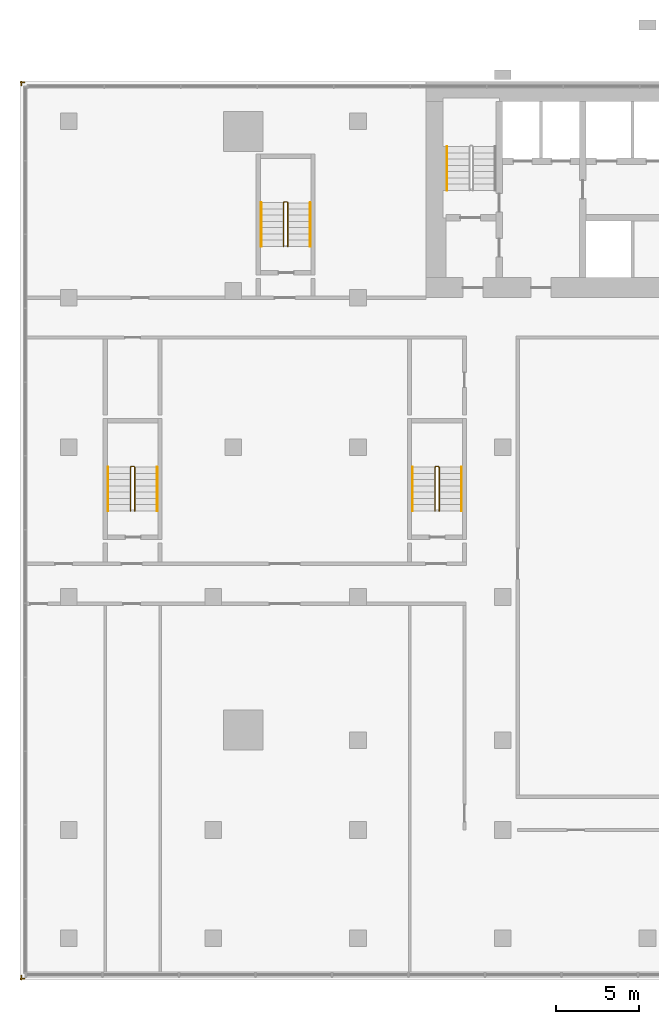
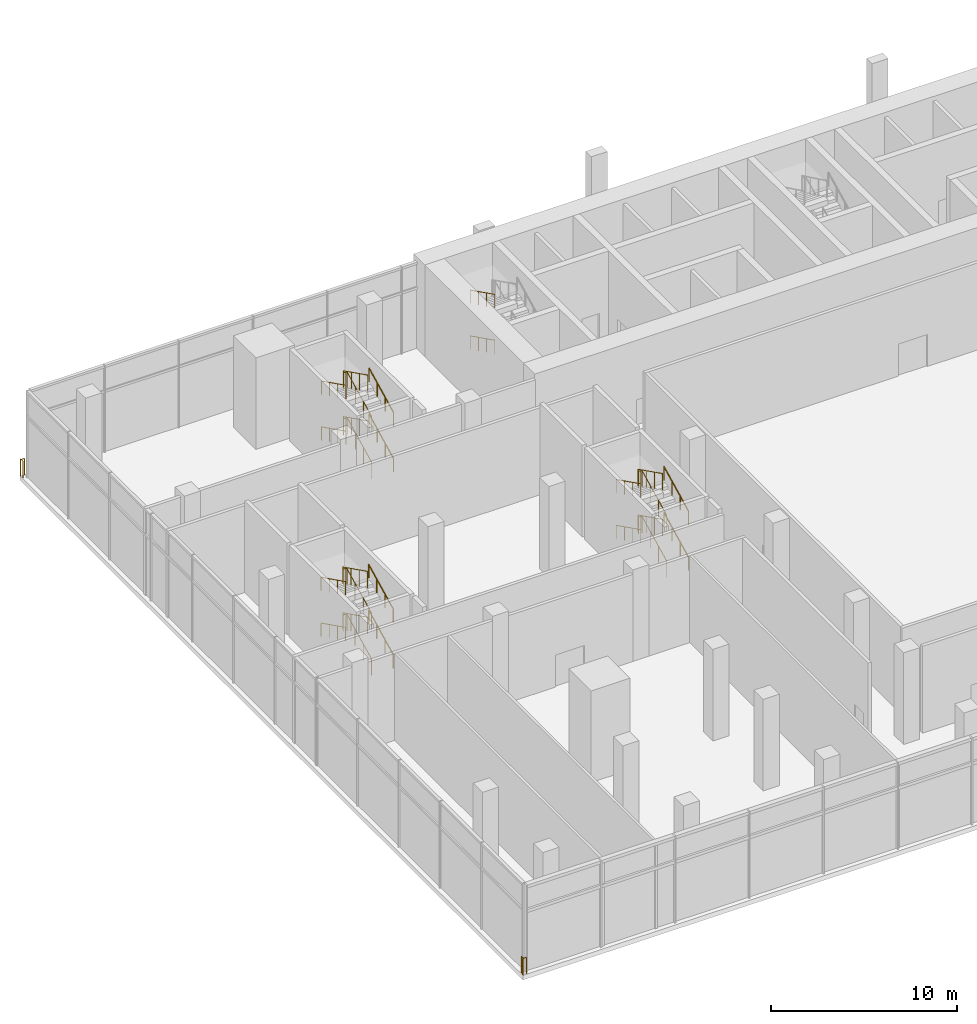
# One storey, part 18 of 21: 22 railings.
"""IFC4 building model written with IfcOpenShell, lengths in metres."""

from ifc_helpers import new_model, si_unit, direction, frame, origin, origin_2d, place, context, subcontext, project, spatial, circle, extrude, material, type_object, element, save


model = new_model("IFC4")

# Units and contexts
model_context = context("Model", 3, precision=1e-05, world=origin(), true_north=direction((0.0, 1.0)))
body_context = subcontext(model_context, "Body", "Model", "MODEL_VIEW")
ifc_project = project(units=[si_unit("LENGTHUNIT", "METRE"), si_unit("AREAUNIT", "SQUARE_METRE"), si_unit("VOLUMEUNIT", "CUBIC_METRE"), si_unit("PLANEANGLEUNIT", "RADIAN"), si_unit("MASSUNIT", "GRAM", prefix="KILO")], contexts=[model_context])

# Site, building, storey
site_placement = place(None, origin())
site = spatial("IfcSite", under=ifc_project, at=site_placement, CompositionType="ELEMENT")
building_placement = place(site_placement, origin())
building = spatial("IfcBuilding", under=site, at=building_placement, Name="Bicima Exchange Tower", CompositionType="ELEMENT")
storey_placement = place(building_placement, frame((0.0, 0.0, 8.0)))
storey = spatial("IfcBuildingStorey", under=building, at=storey_placement, Name="L01", CompositionType="ELEMENT", Elevation=8.0)

# Railings
ifc_material_1 = material(Name="Stainless steel and bonded safety glass", Category="steel")
railing_type_1 = type_object("IfcRailingType", Name="Edge guard 1100", PredefinedType="GUARDRAIL", material=ifc_material_1)
railing_1_placement = place(storey_placement, frame((-46.35009765625, -0.25, 0.0)))
element("IfcRailing", 1, at=railing_1_placement, inside=storey, type_object=railing_type_1, Name="Edge guard L01 1", PredefinedType="GUARDRAIL", context=body_context, shape_type="SweptSolid", body=[
    extrude(circle(Radius=0.02392578125, at=origin_2d()), frame((0.0, 0.0, 1.076171875), z_axis=(0.0, 1.0, 0.0), x_axis=(-1.0, 0.0, 0.0)), (0.0, 0.0, 1.0), 0.25),
    extrude(circle(Radius=0.02392578125, at=origin_2d()), frame((0.0, 0.25, 1.076171875), z_axis=(-0.705375805398, -0.708833529934, 0.0), x_axis=(0.708833529934, -0.705375805398, 0.0)), (0.0, 0.0, 1.0), 0.070556640625),
    extrude(circle(Radius=0.02392578125, at=origin_2d()), frame((-0.0498046875, 0.199951171875, 1.076171875), z_axis=(1.0, 0.0, 0.0), x_axis=(0.0, 1.0, 0.0)), (0.0, 0.0, 1.0), 0.2490234375),
    extrude(circle(Radius=0.02099609375, at=origin_2d()), origin(), (0.0, 0.0, 1.0), 1.052001953125),
    extrude(circle(Radius=0.02099609375, at=origin_2d()), frame((0.0, 0.25, 0.0)), (0.0, 0.0, 1.0), 1.052001953125),
    extrude(circle(Radius=0.02099609375, at=origin_2d()), frame((-0.0498046875, 0.199951171875, 0.0)), (0.0, 0.0, 1.0), 1.052001953125),
    extrude(circle(Radius=0.02099609375, at=origin_2d()), frame((0.19921875, 0.199951171875, 0.0)), (0.0, 0.0, 1.0), 1.052001953125),
])
railing_2_placement = place(storey_placement, frame((-46.15087890625, -53.949951171875, 0.0)))
element("IfcRailing", 2, at=railing_2_placement, inside=storey, type_object=railing_type_1, Name="Edge guard L01 4", PredefinedType="GUARDRAIL", context=body_context, shape_type="SweptSolid", body=[
    extrude(circle(Radius=0.02392578125, at=origin_2d()), frame((0.0, 0.0, 1.076171875), z_axis=(-1.0, 0.0, 0.0), x_axis=(0.0, -1.0, 0.0)), (0.0, 0.0, 1.0), 0.2490234375),
    extrude(circle(Radius=0.02392578125, at=origin_2d()), frame((-0.2490234375, 0.0, 1.076171875), z_axis=(0.705375805398, -0.708833529934, 0.0), x_axis=(0.708833529934, 0.705375805398, 0.0)), (0.0, 0.0, 1.0), 0.070556640625),
    extrude(circle(Radius=0.02392578125, at=origin_2d()), frame((-0.19921875, -0.050048828125, 1.076171875), z_axis=(0.0, 1.0, 0.0), x_axis=(-1.0, 0.0, 0.0)), (0.0, 0.0, 1.0), 0.25),
    extrude(circle(Radius=0.02099609375, at=origin_2d()), origin(), (0.0, 0.0, 1.0), 1.052001953125),
    extrude(circle(Radius=0.02099609375, at=origin_2d()), frame((-0.2490234375, 0.0, 0.0)), (0.0, 0.0, 1.0), 1.052001953125),
    extrude(circle(Radius=0.02099609375, at=origin_2d()), frame((-0.19921875, -0.050048828125, 0.0)), (0.0, 0.0, 1.0), 1.052001953125),
    extrude(circle(Radius=0.02099609375, at=origin_2d()), frame((-0.19921875, 0.199951171875, 0.0)), (0.0, 0.0, 1.0), 1.052001953125),
])
ifc_material_2 = material(Name="Stainless steel", Category="steel")
railing_type_2 = type_object("IfcRailingType", Name="Stair guard 1100", PredefinedType="GUARDRAIL", material=ifc_material_2)
railing_3_placement = place(storey_placement, frame((-30.324951171875, -9.925048828125, 0.1875)))
element("IfcRailing", 3, at=railing_3_placement, inside=storey, type_object=railing_type_2, Name="L01 ST-WW stair guard 1", PredefinedType="GUARDRAIL", context=body_context, shape_type="SweptSolid", body=[
    extrude(circle(Radius=0.02392578125, at=origin_2d()), frame((0.0, 0.0, 1.076171875), z_axis=(0.0, 0.894775759346, 0.446515778543), x_axis=(-1.0, 0.0, 0.0)), (0.0, 0.0, 1.0), 2.939453125),
    extrude(circle(Radius=0.02392578125, at=origin_2d()), frame((0.0, 2.630126953125, 2.388671875), z_axis=(-0.708833529934, 0.705375805398, 0.0), x_axis=(-0.705375805398, -0.708833529934, 0.0)), (0.0, 0.0, 1.0), 0.070556640625),
    extrude(circle(Radius=0.02392578125, at=origin_2d()), frame((-0.050048828125, 2.679931640625, 2.388671875), z_axis=(-1.0, 0.0, 0.0), x_axis=(0.0, -1.0, 0.0)), (0.0, 0.0, 1.0), 0.14990234375),
    extrude(circle(Radius=0.02392578125, at=origin_2d()), frame((-0.199951171875, 2.679931640625, 2.388671875), z_axis=(-0.249802250048, -0.248583702486, 0.935844527007), x_axis=(0.705375805398, -0.708833529934, 0.0)), (0.0, 0.0, 1.0), 0.200439453125),
    extrude(circle(Radius=0.02392578125, at=origin_2d()), frame((-0.25, 2.630126953125, 2.576171875), z_axis=(0.0, -0.894775759346, 0.446515778543), x_axis=(1.0, 0.0, 0.0)), (0.0, 0.0, 1.0), 2.939453125),
    extrude(circle(Radius=0.02099609375, at=origin_2d()), origin(), (0.0, 0.0, 1.0), 1.052001953125),
    extrude(circle(Radius=0.02099609375, at=origin_2d()), frame((0.0, 0.876708984375, 0.4375)), (0.0, 0.0, 1.0), 1.052001953125),
    extrude(circle(Radius=0.02099609375, at=origin_2d()), frame((0.0, 1.75341796875, 0.875)), (0.0, 0.0, 1.0), 1.052001953125),
    extrude(circle(Radius=0.02099609375, at=origin_2d()), frame((0.0, 2.630126953125, 1.3125)), (0.0, 0.0, 1.0), 1.052001953125),
    extrude(circle(Radius=0.02099609375, at=origin_2d()), frame((-0.050048828125, 2.679931640625, 1.3125)), (0.0, 0.0, 1.0), 1.052001953125),
    extrude(circle(Radius=0.02099609375, at=origin_2d()), frame((-0.199951171875, 2.679931640625, 1.3125)), (0.0, 0.0, 1.0), 1.052001953125),
    extrude(circle(Radius=0.02099609375, at=origin_2d()), frame((-0.25, 2.630126953125, 1.5)), (0.0, 0.0, 1.0), 1.052001953125),
    extrude(circle(Radius=0.02099609375, at=origin_2d()), frame((-0.25, 1.75341796875, 1.9375)), (0.0, 0.0, 1.0), 1.052001953125),
    extrude(circle(Radius=0.02099609375, at=origin_2d()), frame((-0.25, 0.876708984375, 2.375)), (0.0, 0.0, 1.0), 1.052001953125),
    extrude(circle(Radius=0.02099609375, at=origin_2d()), frame((-0.25, 0.0, 2.8125)), (0.0, 0.0, 1.0), 1.052001953125),
])
railing_4_placement = place(storey_placement, frame((-30.324951171875, -9.925048828125, 3.1875)))
element("IfcRailing", 4, at=railing_4_placement, inside=storey, type_object=railing_type_2, Name="L01 ST-WW stair guard 2", PredefinedType="GUARDRAIL", context=body_context, shape_type="SweptSolid", body=[
    extrude(circle(Radius=0.02392578125, at=origin_2d()), frame((0.0, 0.0, 1.076171875), z_axis=(0.0, 0.894775759346, 0.446515778543), x_axis=(-1.0, 0.0, 0.0)), (0.0, 0.0, 1.0), 2.939453125),
    extrude(circle(Radius=0.02392578125, at=origin_2d()), frame((0.0, 2.630126953125, 2.388671875), z_axis=(-0.708833529934, 0.705375805398, 0.0), x_axis=(-0.705375805398, -0.708833529934, 0.0)), (0.0, 0.0, 1.0), 0.070556640625),
    extrude(circle(Radius=0.02392578125, at=origin_2d()), frame((-0.050048828125, 2.679931640625, 2.388671875), z_axis=(-1.0, 0.0, 0.0), x_axis=(0.0, -1.0, 0.0)), (0.0, 0.0, 1.0), 0.14990234375),
    extrude(circle(Radius=0.02392578125, at=origin_2d()), frame((-0.199951171875, 2.679931640625, 2.388671875), z_axis=(-0.249802250048, -0.248583702486, 0.935844527007), x_axis=(0.705375805398, -0.708833529934, 0.0)), (0.0, 0.0, 1.0), 0.200439453125),
    extrude(circle(Radius=0.02392578125, at=origin_2d()), frame((-0.25, 2.630126953125, 2.576171875), z_axis=(0.0, -0.894775759346, 0.446515778543), x_axis=(1.0, 0.0, 0.0)), (0.0, 0.0, 1.0), 2.939453125),
    extrude(circle(Radius=0.02099609375, at=origin_2d()), origin(), (0.0, 0.0, 1.0), 1.052001953125),
    extrude(circle(Radius=0.02099609375, at=origin_2d()), frame((0.0, 0.876708984375, 0.4375)), (0.0, 0.0, 1.0), 1.052001953125),
    extrude(circle(Radius=0.02099609375, at=origin_2d()), frame((0.0, 1.75341796875, 0.875)), (0.0, 0.0, 1.0), 1.052001953125),
    extrude(circle(Radius=0.02099609375, at=origin_2d()), frame((0.0, 2.630126953125, 1.3125)), (0.0, 0.0, 1.0), 1.052001953125),
    extrude(circle(Radius=0.02099609375, at=origin_2d()), frame((-0.050048828125, 2.679931640625, 1.3125)), (0.0, 0.0, 1.0), 1.052001953125),
    extrude(circle(Radius=0.02099609375, at=origin_2d()), frame((-0.199951171875, 2.679931640625, 1.3125)), (0.0, 0.0, 1.0), 1.052001953125),
    extrude(circle(Radius=0.02099609375, at=origin_2d()), frame((-0.25, 2.630126953125, 1.5)), (0.0, 0.0, 1.0), 1.052001953125),
    extrude(circle(Radius=0.02099609375, at=origin_2d()), frame((-0.25, 1.75341796875, 1.9375)), (0.0, 0.0, 1.0), 1.052001953125),
    extrude(circle(Radius=0.02099609375, at=origin_2d()), frame((-0.25, 0.876708984375, 2.375)), (0.0, 0.0, 1.0), 1.052001953125),
    extrude(circle(Radius=0.02099609375, at=origin_2d()), frame((-0.25, 0.0, 2.8125)), (0.0, 0.0, 1.0), 1.052001953125),
])
railing_5_placement = place(storey_placement, frame((-39.52490234375, -25.824951171875, 0.1875)))
element("IfcRailing", 5, at=railing_5_placement, inside=storey, type_object=railing_type_2, Name="L01 PS-W stair guard 1", PredefinedType="GUARDRAIL", context=body_context, shape_type="SweptSolid", body=[
    extrude(circle(Radius=0.02392578125, at=origin_2d()), frame((0.0, 0.0, 1.076171875), z_axis=(0.0, 0.894759197849, 0.446548964689), x_axis=(-1.0, 0.0, 0.0)), (0.0, 0.0, 1.0), 2.939208984375),
    extrude(circle(Radius=0.02392578125, at=origin_2d()), frame((0.0, 2.6298828125, 2.388671875), z_axis=(-0.707106781187, 0.707106781187, 0.0), x_axis=(-0.707106781187, -0.707106781187, 0.0)), (0.0, 0.0, 1.0), 0.07080078125),
    extrude(circle(Radius=0.02392578125, at=origin_2d()), frame((-0.050048828125, 2.679931640625, 2.388671875), z_axis=(-1.0, 0.0, 0.0), x_axis=(0.0, -1.0, 0.0)), (0.0, 0.0, 1.0), 0.150146484375),
    extrude(circle(Radius=0.02392578125, at=origin_2d()), frame((-0.2001953125, 2.679931640625, 2.388671875), z_axis=(-0.248583702486, -0.249802250048, 0.935844527007), x_axis=(0.708833529934, -0.705375805398, 0.0)), (0.0, 0.0, 1.0), 0.200439453125),
    extrude(circle(Radius=0.02392578125, at=origin_2d()), frame((-0.25, 2.6298828125, 2.576171875), z_axis=(0.0, -0.894759197849, 0.446548964689), x_axis=(1.0, 0.0, 0.0)), (0.0, 0.0, 1.0), 2.939208984375),
    extrude(circle(Radius=0.02099609375, at=origin_2d()), origin(), (0.0, 0.0, 1.0), 1.052001953125),
    extrude(circle(Radius=0.02099609375, at=origin_2d()), frame((0.0, 0.876708984375, 0.4375)), (0.0, 0.0, 1.0), 1.052001953125),
    extrude(circle(Radius=0.02099609375, at=origin_2d()), frame((0.0, 1.753173828125, 0.875)), (0.0, 0.0, 1.0), 1.052001953125),
    extrude(circle(Radius=0.02099609375, at=origin_2d()), frame((0.0, 2.6298828125, 1.3125)), (0.0, 0.0, 1.0), 1.052001953125),
    extrude(circle(Radius=0.02099609375, at=origin_2d()), frame((-0.050048828125, 2.679931640625, 1.3125)), (0.0, 0.0, 1.0), 1.052001953125),
    extrude(circle(Radius=0.02099609375, at=origin_2d()), frame((-0.2001953125, 2.679931640625, 1.3125)), (0.0, 0.0, 1.0), 1.052001953125),
    extrude(circle(Radius=0.02099609375, at=origin_2d()), frame((-0.25, 2.6298828125, 1.5)), (0.0, 0.0, 1.0), 1.052001953125),
    extrude(circle(Radius=0.02099609375, at=origin_2d()), frame((-0.25, 1.753173828125, 1.9375)), (0.0, 0.0, 1.0), 1.052001953125),
    extrude(circle(Radius=0.02099609375, at=origin_2d()), frame((-0.25, 0.876708984375, 2.375)), (0.0, 0.0, 1.0), 1.052001953125),
    extrude(circle(Radius=0.02099609375, at=origin_2d()), frame((-0.25, 0.0, 2.8125)), (0.0, 0.0, 1.0), 1.052001953125),
])
railing_6_placement = place(storey_placement, frame((-39.52490234375, -25.824951171875, 3.1875)))
element("IfcRailing", 6, at=railing_6_placement, inside=storey, type_object=railing_type_2, Name="L01 PS-W stair guard 2", PredefinedType="GUARDRAIL", context=body_context, shape_type="SweptSolid", body=[
    extrude(circle(Radius=0.02392578125, at=origin_2d()), frame((0.0, 0.0, 1.076171875), z_axis=(0.0, 0.894759197849, 0.446548964689), x_axis=(-1.0, 0.0, 0.0)), (0.0, 0.0, 1.0), 2.939208984375),
    extrude(circle(Radius=0.02392578125, at=origin_2d()), frame((0.0, 2.6298828125, 2.388671875), z_axis=(-0.707106781187, 0.707106781187, 0.0), x_axis=(-0.707106781187, -0.707106781187, 0.0)), (0.0, 0.0, 1.0), 0.07080078125),
    extrude(circle(Radius=0.02392578125, at=origin_2d()), frame((-0.050048828125, 2.679931640625, 2.388671875), z_axis=(-1.0, 0.0, 0.0), x_axis=(0.0, -1.0, 0.0)), (0.0, 0.0, 1.0), 0.150146484375),
    extrude(circle(Radius=0.02392578125, at=origin_2d()), frame((-0.2001953125, 2.679931640625, 2.388671875), z_axis=(-0.248583702486, -0.249802250048, 0.935844527007), x_axis=(0.708833529934, -0.705375805398, 0.0)), (0.0, 0.0, 1.0), 0.200439453125),
    extrude(circle(Radius=0.02392578125, at=origin_2d()), frame((-0.25, 2.6298828125, 2.576171875), z_axis=(0.0, -0.894759197849, 0.446548964689), x_axis=(1.0, 0.0, 0.0)), (0.0, 0.0, 1.0), 2.939208984375),
    extrude(circle(Radius=0.02099609375, at=origin_2d()), origin(), (0.0, 0.0, 1.0), 1.052001953125),
    extrude(circle(Radius=0.02099609375, at=origin_2d()), frame((0.0, 0.876708984375, 0.4375)), (0.0, 0.0, 1.0), 1.052001953125),
    extrude(circle(Radius=0.02099609375, at=origin_2d()), frame((0.0, 1.753173828125, 0.875)), (0.0, 0.0, 1.0), 1.052001953125),
    extrude(circle(Radius=0.02099609375, at=origin_2d()), frame((0.0, 2.6298828125, 1.3125)), (0.0, 0.0, 1.0), 1.052001953125),
    extrude(circle(Radius=0.02099609375, at=origin_2d()), frame((-0.050048828125, 2.679931640625, 1.3125)), (0.0, 0.0, 1.0), 1.052001953125),
    extrude(circle(Radius=0.02099609375, at=origin_2d()), frame((-0.2001953125, 2.679931640625, 1.3125)), (0.0, 0.0, 1.0), 1.052001953125),
    extrude(circle(Radius=0.02099609375, at=origin_2d()), frame((-0.25, 2.6298828125, 1.5)), (0.0, 0.0, 1.0), 1.052001953125),
    extrude(circle(Radius=0.02099609375, at=origin_2d()), frame((-0.25, 1.753173828125, 1.9375)), (0.0, 0.0, 1.0), 1.052001953125),
    extrude(circle(Radius=0.02099609375, at=origin_2d()), frame((-0.25, 0.876708984375, 2.375)), (0.0, 0.0, 1.0), 1.052001953125),
    extrude(circle(Radius=0.02099609375, at=origin_2d()), frame((-0.25, 0.0, 2.8125)), (0.0, 0.0, 1.0), 1.052001953125),
])
railing_7_placement = place(storey_placement, frame((-21.22509765625, -25.824951171875, 0.1875)))
element("IfcRailing", 7, at=railing_7_placement, inside=storey, type_object=railing_type_2, Name="L01 PS-WI stair guard 1", PredefinedType="GUARDRAIL", context=body_context, shape_type="SweptSolid", body=[
    extrude(circle(Radius=0.02392578125, at=origin_2d()), frame((0.0, 0.0, 1.076171875), z_axis=(0.0, 0.894759197849, 0.446548964689), x_axis=(-1.0, 0.0, 0.0)), (0.0, 0.0, 1.0), 2.939208984375),
    extrude(circle(Radius=0.02392578125, at=origin_2d()), frame((0.0, 2.6298828125, 2.388671875), z_axis=(-0.705375805398, 0.708833529934, 0.0), x_axis=(-0.708833529934, -0.705375805398, 0.0)), (0.0, 0.0, 1.0), 0.070556640625),
    extrude(circle(Radius=0.02392578125, at=origin_2d()), frame((-0.0498046875, 2.679931640625, 2.388671875), z_axis=(-1.0, 0.0, 0.0), x_axis=(0.0, -1.0, 0.0)), (0.0, 0.0, 1.0), 0.150146484375),
    extrude(circle(Radius=0.02392578125, at=origin_2d()), frame((-0.199951171875, 2.679931640625, 2.388671875), z_axis=(-0.249726431254, -0.249726431254, 0.935560483917), x_axis=(0.707106781187, -0.707106781187, 0.0)), (0.0, 0.0, 1.0), 0.200439453125),
    extrude(circle(Radius=0.02392578125, at=origin_2d()), frame((-0.25, 2.6298828125, 2.576171875), z_axis=(0.0, -0.894759197849, 0.446548964689), x_axis=(1.0, 0.0, 0.0)), (0.0, 0.0, 1.0), 2.939208984375),
    extrude(circle(Radius=0.02099609375, at=origin_2d()), origin(), (0.0, 0.0, 1.0), 1.052001953125),
    extrude(circle(Radius=0.02099609375, at=origin_2d()), frame((0.0, 0.876708984375, 0.4375)), (0.0, 0.0, 1.0), 1.052001953125),
    extrude(circle(Radius=0.02099609375, at=origin_2d()), frame((0.0, 1.753173828125, 0.875)), (0.0, 0.0, 1.0), 1.052001953125),
    extrude(circle(Radius=0.02099609375, at=origin_2d()), frame((0.0, 2.6298828125, 1.3125)), (0.0, 0.0, 1.0), 1.052001953125),
    extrude(circle(Radius=0.02099609375, at=origin_2d()), frame((-0.0498046875, 2.679931640625, 1.3125)), (0.0, 0.0, 1.0), 1.052001953125),
    extrude(circle(Radius=0.02099609375, at=origin_2d()), frame((-0.199951171875, 2.679931640625, 1.3125)), (0.0, 0.0, 1.0), 1.052001953125),
    extrude(circle(Radius=0.02099609375, at=origin_2d()), frame((-0.25, 2.6298828125, 1.5)), (0.0, 0.0, 1.0), 1.052001953125),
    extrude(circle(Radius=0.02099609375, at=origin_2d()), frame((-0.25, 1.753173828125, 1.9375)), (0.0, 0.0, 1.0), 1.052001953125),
    extrude(circle(Radius=0.02099609375, at=origin_2d()), frame((-0.25, 0.876708984375, 2.375)), (0.0, 0.0, 1.0), 1.052001953125),
    extrude(circle(Radius=0.02099609375, at=origin_2d()), frame((-0.25, 0.0, 2.8125)), (0.0, 0.0, 1.0), 1.052001953125),
])
railing_8_placement = place(storey_placement, frame((-21.22509765625, -25.824951171875, 3.1875)))
element("IfcRailing", 8, at=railing_8_placement, inside=storey, type_object=railing_type_2, Name="L01 PS-WI stair guard 2", PredefinedType="GUARDRAIL", context=body_context, shape_type="SweptSolid", body=[
    extrude(circle(Radius=0.02392578125, at=origin_2d()), frame((0.0, 0.0, 1.076171875), z_axis=(0.0, 0.894759197849, 0.446548964689), x_axis=(-1.0, 0.0, 0.0)), (0.0, 0.0, 1.0), 2.939208984375),
    extrude(circle(Radius=0.02392578125, at=origin_2d()), frame((0.0, 2.6298828125, 2.388671875), z_axis=(-0.705375805398, 0.708833529934, 0.0), x_axis=(-0.708833529934, -0.705375805398, 0.0)), (0.0, 0.0, 1.0), 0.070556640625),
    extrude(circle(Radius=0.02392578125, at=origin_2d()), frame((-0.0498046875, 2.679931640625, 2.388671875), z_axis=(-1.0, 0.0, 0.0), x_axis=(0.0, -1.0, 0.0)), (0.0, 0.0, 1.0), 0.150146484375),
    extrude(circle(Radius=0.02392578125, at=origin_2d()), frame((-0.199951171875, 2.679931640625, 2.388671875), z_axis=(-0.249726431254, -0.249726431254, 0.935560483917), x_axis=(0.707106781187, -0.707106781187, 0.0)), (0.0, 0.0, 1.0), 0.200439453125),
    extrude(circle(Radius=0.02392578125, at=origin_2d()), frame((-0.25, 2.6298828125, 2.576171875), z_axis=(0.0, -0.894759197849, 0.446548964689), x_axis=(1.0, 0.0, 0.0)), (0.0, 0.0, 1.0), 2.939208984375),
    extrude(circle(Radius=0.02099609375, at=origin_2d()), origin(), (0.0, 0.0, 1.0), 1.052001953125),
    extrude(circle(Radius=0.02099609375, at=origin_2d()), frame((0.0, 0.876708984375, 0.4375)), (0.0, 0.0, 1.0), 1.052001953125),
    extrude(circle(Radius=0.02099609375, at=origin_2d()), frame((0.0, 1.753173828125, 0.875)), (0.0, 0.0, 1.0), 1.052001953125),
    extrude(circle(Radius=0.02099609375, at=origin_2d()), frame((0.0, 2.6298828125, 1.3125)), (0.0, 0.0, 1.0), 1.052001953125),
    extrude(circle(Radius=0.02099609375, at=origin_2d()), frame((-0.0498046875, 2.679931640625, 1.3125)), (0.0, 0.0, 1.0), 1.052001953125),
    extrude(circle(Radius=0.02099609375, at=origin_2d()), frame((-0.199951171875, 2.679931640625, 1.3125)), (0.0, 0.0, 1.0), 1.052001953125),
    extrude(circle(Radius=0.02099609375, at=origin_2d()), frame((-0.25, 2.6298828125, 1.5)), (0.0, 0.0, 1.0), 1.052001953125),
    extrude(circle(Radius=0.02099609375, at=origin_2d()), frame((-0.25, 1.753173828125, 1.9375)), (0.0, 0.0, 1.0), 1.052001953125),
    extrude(circle(Radius=0.02099609375, at=origin_2d()), frame((-0.25, 0.876708984375, 2.375)), (0.0, 0.0, 1.0), 1.052001953125),
    extrude(circle(Radius=0.02099609375, at=origin_2d()), frame((-0.25, 0.0, 2.8125)), (0.0, 0.0, 1.0), 1.052001953125),
])
railing_type_3 = type_object("IfcRailingType", Name="Stair handrail 900", PredefinedType="HANDRAIL", material=ifc_material_2)
for number, where, name in (
    (9, (-20.75, -3.919921875, 1.6875), "L01 ST-W stair handrail 2"),
    (10, (-20.75, -3.919921875, 4.6875), "L01 ST-W stair handrail 4"),
):
    element("IfcRailing", number, at=place(storey_placement, frame(where)), inside=storey, type_object=railing_type_3, Name=name, PredefinedType="HANDRAIL", context=body_context, shape_type="SweptSolid", body=[
        extrude(circle(Radius=0.02392578125, at=origin_2d()), frame((0.0, 0.0, 0.8759765625), z_axis=(0.0, -0.894775759346, 0.446515778543), x_axis=(1.0, 0.0, 0.0)), (0.0, 0.0, 1.0), 2.939453125),
        extrude(circle(Radius=0.02099609375, at=origin_2d()), origin(), (0.0, 0.0, 1.0), 0.851806640625),
        extrude(circle(Radius=0.02099609375, at=origin_2d()), frame((0.0, -0.876708984375, 0.4375)), (0.0, 0.0, 1.0), 0.851806640625),
        extrude(circle(Radius=0.02099609375, at=origin_2d()), frame((0.0, -1.75341796875, 0.875)), (0.0, 0.0, 1.0), 0.851806640625),
        extrude(circle(Radius=0.02099609375, at=origin_2d()), frame((0.0, -2.630126953125, 1.3125)), (0.0, 0.0, 1.0), 0.851806640625),
    ])
railing_9_placement = place(storey_placement, frame((-28.97509765625, -9.925048828125, 0.1875)))
element("IfcRailing", 11, at=railing_9_placement, inside=storey, type_object=railing_type_3, Name="L01 ST-WW stair handrail 1", PredefinedType="HANDRAIL", context=body_context, shape_type="SweptSolid", body=[
    extrude(circle(Radius=0.02392578125, at=origin_2d()), frame((0.0, 0.0, 0.8759765625), z_axis=(0.0, 0.894775759346, 0.446515778543), x_axis=(-1.0, 0.0, 0.0)), (0.0, 0.0, 1.0), 2.939453125),
    extrude(circle(Radius=0.02099609375, at=origin_2d()), origin(), (0.0, 0.0, 1.0), 0.851806640625),
    extrude(circle(Radius=0.02099609375, at=origin_2d()), frame((0.0, 0.876708984375, 0.4375)), (0.0, 0.0, 1.0), 0.851806640625),
    extrude(circle(Radius=0.02099609375, at=origin_2d()), frame((0.0, 1.75341796875, 0.875)), (0.0, 0.0, 1.0), 0.851806640625),
    extrude(circle(Radius=0.02099609375, at=origin_2d()), frame((0.0, 2.630126953125, 1.3125)), (0.0, 0.0, 1.0), 0.851806640625),
])
railing_10_placement = place(storey_placement, frame((-31.925048828125, -7.294921875, 1.6875)))
element("IfcRailing", 12, at=railing_10_placement, inside=storey, type_object=railing_type_3, Name="L01 ST-WW stair handrail 2", PredefinedType="HANDRAIL", context=body_context, shape_type="SweptSolid", body=[
    extrude(circle(Radius=0.02392578125, at=origin_2d()), frame((0.0, 0.0, 0.8759765625), z_axis=(0.0, -0.894775759346, 0.446515778543), x_axis=(1.0, 0.0, 0.0)), (0.0, 0.0, 1.0), 2.939453125),
    extrude(circle(Radius=0.02099609375, at=origin_2d()), origin(), (0.0, 0.0, 1.0), 0.851806640625),
    extrude(circle(Radius=0.02099609375, at=origin_2d()), frame((0.0, -0.876708984375, 0.4375)), (0.0, 0.0, 1.0), 0.851806640625),
    extrude(circle(Radius=0.02099609375, at=origin_2d()), frame((0.0, -1.75341796875, 0.875)), (0.0, 0.0, 1.0), 0.851806640625),
    extrude(circle(Radius=0.02099609375, at=origin_2d()), frame((0.0, -2.630126953125, 1.3125)), (0.0, 0.0, 1.0), 0.851806640625),
])
railing_11_placement = place(storey_placement, frame((-28.97509765625, -9.925048828125, 3.1875)))
element("IfcRailing", 13, at=railing_11_placement, inside=storey, type_object=railing_type_3, Name="L01 ST-WW stair handrail 3", PredefinedType="HANDRAIL", context=body_context, shape_type="SweptSolid", body=[
    extrude(circle(Radius=0.02392578125, at=origin_2d()), frame((0.0, 0.0, 0.8759765625), z_axis=(0.0, 0.894775759346, 0.446515778543), x_axis=(-1.0, 0.0, 0.0)), (0.0, 0.0, 1.0), 2.939453125),
    extrude(circle(Radius=0.02099609375, at=origin_2d()), origin(), (0.0, 0.0, 1.0), 0.851806640625),
    extrude(circle(Radius=0.02099609375, at=origin_2d()), frame((0.0, 0.876708984375, 0.4375)), (0.0, 0.0, 1.0), 0.851806640625),
    extrude(circle(Radius=0.02099609375, at=origin_2d()), frame((0.0, 1.75341796875, 0.875)), (0.0, 0.0, 1.0), 0.851806640625),
    extrude(circle(Radius=0.02099609375, at=origin_2d()), frame((0.0, 2.630126953125, 1.3125)), (0.0, 0.0, 1.0), 0.851806640625),
])
railing_12_placement = place(storey_placement, frame((-31.925048828125, -7.294921875, 4.6875)))
element("IfcRailing", 14, at=railing_12_placement, inside=storey, type_object=railing_type_3, Name="L01 ST-WW stair handrail 4", PredefinedType="HANDRAIL", context=body_context, shape_type="SweptSolid", body=[
    extrude(circle(Radius=0.02392578125, at=origin_2d()), frame((0.0, 0.0, 0.8759765625), z_axis=(0.0, -0.894775759346, 0.446515778543), x_axis=(1.0, 0.0, 0.0)), (0.0, 0.0, 1.0), 2.939453125),
    extrude(circle(Radius=0.02099609375, at=origin_2d()), origin(), (0.0, 0.0, 1.0), 0.851806640625),
    extrude(circle(Radius=0.02099609375, at=origin_2d()), frame((0.0, -0.876708984375, 0.4375)), (0.0, 0.0, 1.0), 0.851806640625),
    extrude(circle(Radius=0.02099609375, at=origin_2d()), frame((0.0, -1.75341796875, 0.875)), (0.0, 0.0, 1.0), 0.851806640625),
    extrude(circle(Radius=0.02099609375, at=origin_2d()), frame((0.0, -2.630126953125, 1.3125)), (0.0, 0.0, 1.0), 0.851806640625),
])
railing_13_placement = place(storey_placement, frame((-38.175048828125, -25.824951171875, 0.1875)))
element("IfcRailing", 15, at=railing_13_placement, inside=storey, type_object=railing_type_3, Name="L01 PS-W stair handrail 1", PredefinedType="HANDRAIL", context=body_context, shape_type="SweptSolid", body=[
    extrude(circle(Radius=0.02392578125, at=origin_2d()), frame((0.0, 0.0, 0.8759765625), z_axis=(0.0, 0.894759197849, 0.446548964689), x_axis=(-1.0, 0.0, 0.0)), (0.0, 0.0, 1.0), 2.939208984375),
    extrude(circle(Radius=0.02099609375, at=origin_2d()), origin(), (0.0, 0.0, 1.0), 0.851806640625),
    extrude(circle(Radius=0.02099609375, at=origin_2d()), frame((0.0, 0.876708984375, 0.4375)), (0.0, 0.0, 1.0), 0.851806640625),
    extrude(circle(Radius=0.02099609375, at=origin_2d()), frame((0.0, 1.753173828125, 0.875)), (0.0, 0.0, 1.0), 0.851806640625),
    extrude(circle(Radius=0.02099609375, at=origin_2d()), frame((0.0, 2.6298828125, 1.3125)), (0.0, 0.0, 1.0), 0.851806640625),
])
railing_14_placement = place(storey_placement, frame((-41.125, -23.195068359375, 1.6875)))
element("IfcRailing", 16, at=railing_14_placement, inside=storey, type_object=railing_type_3, Name="L01 PS-W stair handrail 2", PredefinedType="HANDRAIL", context=body_context, shape_type="SweptSolid", body=[
    extrude(circle(Radius=0.02392578125, at=origin_2d()), frame((0.0, 0.0, 0.8759765625), z_axis=(0.0, -0.894759197849, 0.446548964689), x_axis=(1.0, 0.0, 0.0)), (0.0, 0.0, 1.0), 2.939208984375),
    extrude(circle(Radius=0.02099609375, at=origin_2d()), origin(), (0.0, 0.0, 1.0), 0.851806640625),
    extrude(circle(Radius=0.02099609375, at=origin_2d()), frame((0.0, -0.876708984375, 0.4375)), (0.0, 0.0, 1.0), 0.851806640625),
    extrude(circle(Radius=0.02099609375, at=origin_2d()), frame((0.0, -1.753173828125, 0.875)), (0.0, 0.0, 1.0), 0.851806640625),
    extrude(circle(Radius=0.02099609375, at=origin_2d()), frame((0.0, -2.6298828125, 1.3125)), (0.0, 0.0, 1.0), 0.851806640625),
])
railing_15_placement = place(storey_placement, frame((-38.175048828125, -25.824951171875, 3.1875)))
element("IfcRailing", 17, at=railing_15_placement, inside=storey, type_object=railing_type_3, Name="L01 PS-W stair handrail 3", PredefinedType="HANDRAIL", context=body_context, shape_type="SweptSolid", body=[
    extrude(circle(Radius=0.02392578125, at=origin_2d()), frame((0.0, 0.0, 0.8759765625), z_axis=(0.0, 0.894759197849, 0.446548964689), x_axis=(-1.0, 0.0, 0.0)), (0.0, 0.0, 1.0), 2.939208984375),
    extrude(circle(Radius=0.02099609375, at=origin_2d()), origin(), (0.0, 0.0, 1.0), 0.851806640625),
    extrude(circle(Radius=0.02099609375, at=origin_2d()), frame((0.0, 0.876708984375, 0.4375)), (0.0, 0.0, 1.0), 0.851806640625),
    extrude(circle(Radius=0.02099609375, at=origin_2d()), frame((0.0, 1.753173828125, 0.875)), (0.0, 0.0, 1.0), 0.851806640625),
    extrude(circle(Radius=0.02099609375, at=origin_2d()), frame((0.0, 2.6298828125, 1.3125)), (0.0, 0.0, 1.0), 0.851806640625),
])
railing_16_placement = place(storey_placement, frame((-41.125, -23.195068359375, 4.6875)))
element("IfcRailing", 18, at=railing_16_placement, inside=storey, type_object=railing_type_3, Name="L01 PS-W stair handrail 4", PredefinedType="HANDRAIL", context=body_context, shape_type="SweptSolid", body=[
    extrude(circle(Radius=0.02392578125, at=origin_2d()), frame((0.0, 0.0, 0.8759765625), z_axis=(0.0, -0.894759197849, 0.446548964689), x_axis=(1.0, 0.0, 0.0)), (0.0, 0.0, 1.0), 2.939208984375),
    extrude(circle(Radius=0.02099609375, at=origin_2d()), origin(), (0.0, 0.0, 1.0), 0.851806640625),
    extrude(circle(Radius=0.02099609375, at=origin_2d()), frame((0.0, -0.876708984375, 0.4375)), (0.0, 0.0, 1.0), 0.851806640625),
    extrude(circle(Radius=0.02099609375, at=origin_2d()), frame((0.0, -1.753173828125, 0.875)), (0.0, 0.0, 1.0), 0.851806640625),
    extrude(circle(Radius=0.02099609375, at=origin_2d()), frame((0.0, -2.6298828125, 1.3125)), (0.0, 0.0, 1.0), 0.851806640625),
])
railing_17_placement = place(storey_placement, frame((-19.875, -25.824951171875, 0.1875)))
element("IfcRailing", 19, at=railing_17_placement, inside=storey, type_object=railing_type_3, Name="L01 PS-WI stair handrail 1", PredefinedType="HANDRAIL", context=body_context, shape_type="SweptSolid", body=[
    extrude(circle(Radius=0.02392578125, at=origin_2d()), frame((0.0, 0.0, 0.8759765625), z_axis=(0.0, 0.894759197849, 0.446548964689), x_axis=(-1.0, 0.0, 0.0)), (0.0, 0.0, 1.0), 2.939208984375),
    extrude(circle(Radius=0.02099609375, at=origin_2d()), origin(), (0.0, 0.0, 1.0), 0.851806640625),
    extrude(circle(Radius=0.02099609375, at=origin_2d()), frame((0.0, 0.876708984375, 0.4375)), (0.0, 0.0, 1.0), 0.851806640625),
    extrude(circle(Radius=0.02099609375, at=origin_2d()), frame((0.0, 1.753173828125, 0.875)), (0.0, 0.0, 1.0), 0.851806640625),
    extrude(circle(Radius=0.02099609375, at=origin_2d()), frame((0.0, 2.6298828125, 1.3125)), (0.0, 0.0, 1.0), 0.851806640625),
])
railing_18_placement = place(storey_placement, frame((-22.824951171875, -23.195068359375, 1.6875)))
element("IfcRailing", 20, at=railing_18_placement, inside=storey, type_object=railing_type_3, Name="L01 PS-WI stair handrail 2", PredefinedType="HANDRAIL", context=body_context, shape_type="SweptSolid", body=[
    extrude(circle(Radius=0.02392578125, at=origin_2d()), frame((0.0, 0.0, 0.8759765625), z_axis=(0.0, -0.894759197849, 0.446548964689), x_axis=(1.0, 0.0, 0.0)), (0.0, 0.0, 1.0), 2.939208984375),
    extrude(circle(Radius=0.02099609375, at=origin_2d()), origin(), (0.0, 0.0, 1.0), 0.851806640625),
    extrude(circle(Radius=0.02099609375, at=origin_2d()), frame((0.0, -0.876708984375, 0.4375)), (0.0, 0.0, 1.0), 0.851806640625),
    extrude(circle(Radius=0.02099609375, at=origin_2d()), frame((0.0, -1.753173828125, 0.875)), (0.0, 0.0, 1.0), 0.851806640625),
    extrude(circle(Radius=0.02099609375, at=origin_2d()), frame((0.0, -2.6298828125, 1.3125)), (0.0, 0.0, 1.0), 0.851806640625),
])
railing_19_placement = place(storey_placement, frame((-19.875, -25.824951171875, 3.1875)))
element("IfcRailing", 21, at=railing_19_placement, inside=storey, type_object=railing_type_3, Name="L01 PS-WI stair handrail 3", PredefinedType="HANDRAIL", context=body_context, shape_type="SweptSolid", body=[
    extrude(circle(Radius=0.02392578125, at=origin_2d()), frame((0.0, 0.0, 0.8759765625), z_axis=(0.0, 0.894759197849, 0.446548964689), x_axis=(-1.0, 0.0, 0.0)), (0.0, 0.0, 1.0), 2.939208984375),
    extrude(circle(Radius=0.02099609375, at=origin_2d()), origin(), (0.0, 0.0, 1.0), 0.851806640625),
    extrude(circle(Radius=0.02099609375, at=origin_2d()), frame((0.0, 0.876708984375, 0.4375)), (0.0, 0.0, 1.0), 0.851806640625),
    extrude(circle(Radius=0.02099609375, at=origin_2d()), frame((0.0, 1.753173828125, 0.875)), (0.0, 0.0, 1.0), 0.851806640625),
    extrude(circle(Radius=0.02099609375, at=origin_2d()), frame((0.0, 2.6298828125, 1.3125)), (0.0, 0.0, 1.0), 0.851806640625),
])
railing_20_placement = place(storey_placement, frame((-22.824951171875, -23.195068359375, 4.6875)))
element("IfcRailing", 22, at=railing_20_placement, inside=storey, type_object=railing_type_3, Name="L01 PS-WI stair handrail 4", PredefinedType="HANDRAIL", context=body_context, shape_type="SweptSolid", body=[
    extrude(circle(Radius=0.02392578125, at=origin_2d()), frame((0.0, 0.0, 0.8759765625), z_axis=(0.0, -0.894759197849, 0.446548964689), x_axis=(1.0, 0.0, 0.0)), (0.0, 0.0, 1.0), 2.939208984375),
    extrude(circle(Radius=0.02099609375, at=origin_2d()), origin(), (0.0, 0.0, 1.0), 0.851806640625),
    extrude(circle(Radius=0.02099609375, at=origin_2d()), frame((0.0, -0.876708984375, 0.4375)), (0.0, 0.0, 1.0), 0.851806640625),
    extrude(circle(Radius=0.02099609375, at=origin_2d()), frame((0.0, -1.753173828125, 0.875)), (0.0, 0.0, 1.0), 0.851806640625),
    extrude(circle(Radius=0.02099609375, at=origin_2d()), frame((0.0, -2.6298828125, 1.3125)), (0.0, 0.0, 1.0), 0.851806640625),
])

save(model, "model.ifc")
